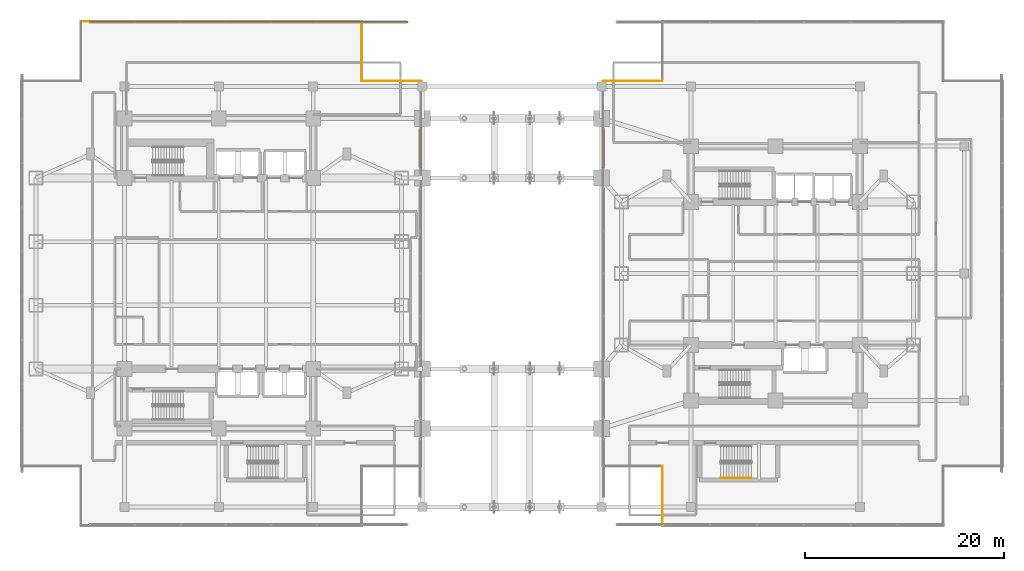
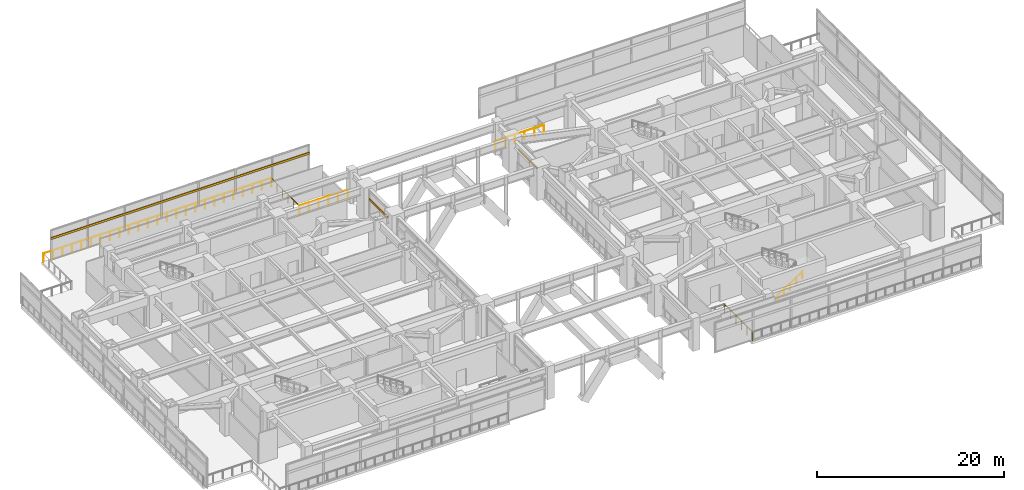
# One storey, part 25 of 30: 6 railings, 3 shading devices.
"""IFC4 building model written with IfcOpenShell, lengths in metres."""

from ifc_helpers import new_model, si_unit, direction, frame, origin, origin_2d, place, context, subcontext, project, spatial, rectangle, circle, extrude, material, material_profile, profile_set, type_object, element, save


model = new_model("IFC4")

# Units and contexts
model_context = context("Model", 3, precision=1e-05, world=origin(), true_north=direction((0.0, 1.0)))
body_context = subcontext(model_context, "Body", "Model", "MODEL_VIEW")
ifc_project = project(units=[si_unit("LENGTHUNIT", "METRE"), si_unit("AREAUNIT", "SQUARE_METRE"), si_unit("VOLUMEUNIT", "CUBIC_METRE"), si_unit("PLANEANGLEUNIT", "RADIAN"), si_unit("MASSUNIT", "GRAM", prefix="KILO")], contexts=[model_context])

# Site, building, storey
site_placement = place(None, origin())
site = spatial("IfcSite", under=ifc_project, at=site_placement, CompositionType="ELEMENT")
building_placement = place(site_placement, origin())
building = spatial("IfcBuilding", under=site, at=building_placement, Name="Mirazonda Arch Towers", CompositionType="ELEMENT")
storey_placement = place(building_placement, frame((0.0, 0.0, 9.5)))
storey = spatial("IfcBuildingStorey", under=building, at=storey_placement, Name="L02", CompositionType="ELEMENT", Elevation=9.5)

# Shading devices
ifc_material_1 = material(Name="Kiln-Fired Architectural Terracotta", Category="masonry")
ifc_material_profile = material_profile(ifc_material_1, rectangle(XDim=0.139892578125, YDim=0.280029296875, at=origin_2d()), Name="TERRA-BAG-140x280")
ifc_profile_set = profile_set([ifc_material_profile], Name="Kiln-Fired Architectural Terracotta")
shading_device_type = type_object("IfcShadingDeviceType", Name="BAGUETTE-3", PredefinedType="USERDEFINED", material=ifc_profile_set)
shading_device_placement = place(storey_placement, frame((7.5, 53.280029296875, 2.851318359375), z_axis=(1.0, 0.0, 0.0), x_axis=(0.0, 1.0, 0.0)))
element("IfcShadingDevice", 1, at=shading_device_placement, inside=storey, type_object=shading_device_type, Name="L02 Glazed Terracotta Sun-Screen Baguette CW-L02-WN", ObjectType="BAGUETTE", PredefinedType="USERDEFINED", context=body_context, shape_type="SweptSolid", body=[
    extrude(rectangle(XDim=0.139892578125, YDim=0.280029296875, at=origin_2d()), origin(), (0.0, 0.0, 1.0), 32.0),
])
for number, where, z_axis, x_axis, name in (
    (2, (40.780029296875, 42.56005859375, 2.851318359375), (0.0, -1.0, 0.0), (1.0, 0.0, 0.0), "L02 Glazed Terracotta Sun-Screen Baguette CW-L02-AW-S1"),
    (3, (59.219970703125, 38.639892578125, 2.851318359375), (0.0, 1.0, 0.0), (-1.0, 0.0, 0.0), "L02 Glazed Terracotta Sun-Screen Baguette CW-L02-AE-S4"),
):
    element("IfcShadingDevice", number, at=place(storey_placement, frame(where, z_axis=z_axis, x_axis=x_axis)), inside=storey, type_object=shading_device_type, Name=name, ObjectType="BAGUETTE", PredefinedType="USERDEFINED", context=body_context, shape_type="SweptSolid", body=[
        extrude(rectangle(XDim=0.139892578125, YDim=0.280029296875, at=origin_2d()), origin(), (0.0, 0.0, 1.0), 3.920166015625),
    ])

# Railings
ifc_material_2 = material(Name="Architectural Brushed Steel S355", Category="steel")
railing_type_1 = type_object("IfcRailingType", Name="GUARD-EXT-1150", PredefinedType="GUARDRAIL", material=ifc_material_2)
railing_1_placement = place(storey_placement, frame((40.860107421875, 47.360107421875, 0.0)))
element("IfcRailing", 4, at=railing_1_placement, inside=storey, type_object=railing_type_1, Name="L02 L02 West Podium Perimeter Guard 05", PredefinedType="GUARDRAIL", context=body_context, shape_type="SweptSolid", body=[
    extrude(circle(Radius=0.02392578125, at=origin_2d()), frame((0.0, 0.0, 1.1259765625), z_axis=(-1.0, 0.0, 0.0), x_axis=(0.0, -1.0, 0.0)), (0.0, 0.0, 1.0), 6.0),
    extrude(circle(Radius=0.02099609375, at=origin_2d()), origin(), (0.0, 0.0, 1.0), 1.101806640625),
    extrude(circle(Radius=0.02099609375, at=origin_2d()), frame((-1.199951171875, 0.0, 0.0)), (0.0, 0.0, 1.0), 1.101806640625),
    extrude(circle(Radius=0.02099609375, at=origin_2d()), frame((-2.39990234375, 0.0, 0.0)), (0.0, 0.0, 1.0), 1.101806640625),
    extrude(circle(Radius=0.02099609375, at=origin_2d()), frame((-3.60009765625, 0.0, 0.0)), (0.0, 0.0, 1.0), 1.101806640625),
    extrude(circle(Radius=0.02099609375, at=origin_2d()), frame((-4.800048828125, 0.0, 0.0)), (0.0, 0.0, 1.0), 1.101806640625),
    extrude(circle(Radius=0.02099609375, at=origin_2d()), frame((-6.0, 0.0, 0.0)), (0.0, 0.0, 1.0), 1.101806640625),
])
railing_2_placement = place(storey_placement, frame((34.860107421875, 47.360107421875, 0.0)))
element("IfcRailing", 5, at=railing_2_placement, inside=storey, type_object=railing_type_1, Name="L02 L02 West Podium Perimeter Guard 06", PredefinedType="GUARDRAIL", context=body_context, shape_type="SweptSolid", body=[
    extrude(circle(Radius=0.02392578125, at=origin_2d()), frame((0.0, 0.0, 1.1259765625), z_axis=(0.0, 1.0, 0.0), x_axis=(-1.0, 0.0, 0.0)), (0.0, 0.0, 1.0), 6.0),
    extrude(circle(Radius=0.02099609375, at=origin_2d()), origin(), (0.0, 0.0, 1.0), 1.101806640625),
    extrude(circle(Radius=0.02099609375, at=origin_2d()), frame((0.0, 1.199951171875, 0.0)), (0.0, 0.0, 1.0), 1.101806640625),
    extrude(circle(Radius=0.02099609375, at=origin_2d()), frame((0.0, 2.39990234375, 0.0)), (0.0, 0.0, 1.0), 1.101806640625),
    extrude(circle(Radius=0.02099609375, at=origin_2d()), frame((0.0, 3.60009765625, 0.0)), (0.0, 0.0, 1.0), 1.101806640625),
    extrude(circle(Radius=0.02099609375, at=origin_2d()), frame((0.0, 4.800048828125, 0.0)), (0.0, 0.0, 1.0), 1.101806640625),
    extrude(circle(Radius=0.02099609375, at=origin_2d()), frame((0.0, 6.0, 0.0)), (0.0, 0.0, 1.0), 1.101806640625),
])
railing_3_placement = place(storey_placement, frame((34.860107421875, 53.360107421875, 0.0)))
element("IfcRailing", 6, at=railing_3_placement, inside=storey, type_object=railing_type_1, Name="L02 L02 West Podium Perimeter Guard 07", PredefinedType="GUARDRAIL", context=body_context, shape_type="SweptSolid", body=[
    extrude(circle(Radius=0.02392578125, at=origin_2d()), frame((0.0, 0.0, 1.1259765625), z_axis=(-1.0, 0.0, 0.0), x_axis=(0.0, -1.0, 0.0)), (0.0, 0.0, 1.0), 28.22021484375),
    extrude(circle(Radius=0.02099609375, at=origin_2d()), origin(), (0.0, 0.0, 1.0), 1.101806640625),
    extrude(circle(Radius=0.02099609375, at=origin_2d()), frame((-1.17578125, 0.0, 0.0)), (0.0, 0.0, 1.0), 1.101806640625),
    extrude(circle(Radius=0.02099609375, at=origin_2d()), frame((-2.3515625, 0.0, 0.0)), (0.0, 0.0, 1.0), 1.101806640625),
    extrude(circle(Radius=0.02099609375, at=origin_2d()), frame((-3.527587890625, 0.0, 0.0)), (0.0, 0.0, 1.0), 1.101806640625),
    extrude(circle(Radius=0.02099609375, at=origin_2d()), frame((-4.703369140625, 0.0, 0.0)), (0.0, 0.0, 1.0), 1.101806640625),
    extrude(circle(Radius=0.02099609375, at=origin_2d()), frame((-5.879150390625, 0.0, 0.0)), (0.0, 0.0, 1.0), 1.101806640625),
    extrude(circle(Radius=0.02099609375, at=origin_2d()), frame((-7.05517578125, 0.0, 0.0)), (0.0, 0.0, 1.0), 1.101806640625),
    extrude(circle(Radius=0.02099609375, at=origin_2d()), frame((-8.23095703125, 0.0, 0.0)), (0.0, 0.0, 1.0), 1.101806640625),
    extrude(circle(Radius=0.02099609375, at=origin_2d()), frame((-9.40673828125, 0.0, 0.0)), (0.0, 0.0, 1.0), 1.101806640625),
    extrude(circle(Radius=0.02099609375, at=origin_2d()), frame((-10.58251953125, 0.0, 0.0)), (0.0, 0.0, 1.0), 1.101806640625),
    extrude(circle(Radius=0.02099609375, at=origin_2d()), frame((-11.75830078125, 0.0, 0.0)), (0.0, 0.0, 1.0), 1.101806640625),
    extrude(circle(Radius=0.02099609375, at=origin_2d()), frame((-12.934326171875, 0.0, 0.0)), (0.0, 0.0, 1.0), 1.101806640625),
    extrude(circle(Radius=0.02099609375, at=origin_2d()), frame((-14.110107421875, 0.0, 0.0)), (0.0, 0.0, 1.0), 1.101806640625),
    extrude(circle(Radius=0.02099609375, at=origin_2d()), frame((-15.285888671875, 0.0, 0.0)), (0.0, 0.0, 1.0), 1.101806640625),
    extrude(circle(Radius=0.02099609375, at=origin_2d()), frame((-16.4619140625, 0.0, 0.0)), (0.0, 0.0, 1.0), 1.101806640625),
    extrude(circle(Radius=0.02099609375, at=origin_2d()), frame((-17.6376953125, 0.0, 0.0)), (0.0, 0.0, 1.0), 1.101806640625),
    extrude(circle(Radius=0.02099609375, at=origin_2d()), frame((-18.8134765625, 0.0, 0.0)), (0.0, 0.0, 1.0), 1.101806640625),
    extrude(circle(Radius=0.02099609375, at=origin_2d()), frame((-19.9892578125, 0.0, 0.0)), (0.0, 0.0, 1.0), 1.101806640625),
    extrude(circle(Radius=0.02099609375, at=origin_2d()), frame((-21.1650390625, 0.0, 0.0)), (0.0, 0.0, 1.0), 1.101806640625),
    extrude(circle(Radius=0.02099609375, at=origin_2d()), frame((-22.341064453125, 0.0, 0.0)), (0.0, 0.0, 1.0), 1.101806640625),
    extrude(circle(Radius=0.02099609375, at=origin_2d()), frame((-23.516845703125, 0.0, 0.0)), (0.0, 0.0, 1.0), 1.101806640625),
    extrude(circle(Radius=0.02099609375, at=origin_2d()), frame((-24.692626953125, 0.0, 0.0)), (0.0, 0.0, 1.0), 1.101806640625),
    extrude(circle(Radius=0.02099609375, at=origin_2d()), frame((-25.86865234375, 0.0, 0.0)), (0.0, 0.0, 1.0), 1.101806640625),
    extrude(circle(Radius=0.02099609375, at=origin_2d()), frame((-27.04443359375, 0.0, 0.0)), (0.0, 0.0, 1.0), 1.101806640625),
    extrude(circle(Radius=0.02099609375, at=origin_2d()), frame((-28.22021484375, 0.0, 0.0)), (0.0, 0.0, 1.0), 1.101806640625),
])
railing_4_placement = place(storey_placement, frame((65.139892578125, 47.360107421875, 0.0)))
element("IfcRailing", 7, at=railing_4_placement, inside=storey, type_object=railing_type_1, Name="L02 L02 East Podium Perimeter Guard 09", PredefinedType="GUARDRAIL", context=body_context, shape_type="SweptSolid", body=[
    extrude(circle(Radius=0.02392578125, at=origin_2d()), frame((0.0, 0.0, 1.1259765625), z_axis=(-1.0, 0.0, 0.0), x_axis=(0.0, -1.0, 0.0)), (0.0, 0.0, 1.0), 6.0),
    extrude(circle(Radius=0.02099609375, at=origin_2d()), origin(), (0.0, 0.0, 1.0), 1.101806640625),
    extrude(circle(Radius=0.02099609375, at=origin_2d()), frame((-1.199951171875, 0.0, 0.0)), (0.0, 0.0, 1.0), 1.101806640625),
    extrude(circle(Radius=0.02099609375, at=origin_2d()), frame((-2.39990234375, 0.0, 0.0)), (0.0, 0.0, 1.0), 1.101806640625),
    extrude(circle(Radius=0.02099609375, at=origin_2d()), frame((-3.60009765625, 0.0, 0.0)), (0.0, 0.0, 1.0), 1.101806640625),
    extrude(circle(Radius=0.02099609375, at=origin_2d()), frame((-4.800048828125, 0.0, 0.0)), (0.0, 0.0, 1.0), 1.101806640625),
    extrude(circle(Radius=0.02099609375, at=origin_2d()), frame((-6.0, 0.0, 0.0)), (0.0, 0.0, 1.0), 1.101806640625),
])
railing_5_placement = place(storey_placement, frame((65.139892578125, 8.639892578125, 0.0)))
element("IfcRailing", 8, at=railing_5_placement, inside=storey, type_object=railing_type_1, Name="L02 L02 East Podium Perimeter Guard 12", PredefinedType="GUARDRAIL", context=body_context, shape_type="SweptSolid", body=[
    extrude(circle(Radius=0.02392578125, at=origin_2d()), frame((0.0, 0.0, 1.1259765625), z_axis=(0.0, -1.0, 0.0), x_axis=(1.0, 0.0, 0.0)), (0.0, 0.0, 1.0), 6.0),
    extrude(circle(Radius=0.02099609375, at=origin_2d()), origin(), (0.0, 0.0, 1.0), 1.101806640625),
    extrude(circle(Radius=0.02099609375, at=origin_2d()), frame((0.0, -1.199951171875, 0.0)), (0.0, 0.0, 1.0), 1.101806640625),
    extrude(circle(Radius=0.02099609375, at=origin_2d()), frame((0.0, -2.39990234375, 0.0)), (0.0, 0.0, 1.0), 1.101806640625),
    extrude(circle(Radius=0.02099609375, at=origin_2d()), frame((0.0, -3.60009765625, 0.0)), (0.0, 0.0, 1.0), 1.101806640625),
    extrude(circle(Radius=0.02099609375, at=origin_2d()), frame((0.0, -4.800048828125, 0.0)), (0.0, 0.0, 1.0), 1.101806640625),
    extrude(circle(Radius=0.02099609375, at=origin_2d()), frame((0.0, -6.0, 0.0)), (0.0, 0.0, 1.0), 1.101806640625),
])
railing_type_2 = type_object("IfcRailingType", Name="HANDRAIL-915", PredefinedType="HANDRAIL", material=ifc_material_2)
railing_6_placement = place(storey_placement, frame((71.0, 7.39990234375, 0.17919921875)))
element("IfcRailing", 9, at=railing_6_placement, inside=storey, type_object=railing_type_2, Name="L02 ST-POD2 stair handrail 1", PredefinedType="HANDRAIL", context=body_context, shape_type="SweptSolid", body=[
    extrude(circle(Radius=0.02392578125, at=origin_2d()), frame((0.0, 0.0, 0.8759765625), z_axis=(0.842339298311, 0.0, 0.538947591627), x_axis=(0.0, 1.0, 0.0)), (0.0, 0.0, 1.0), 3.656494140625),
    extrude(circle(Radius=0.02099609375, at=origin_2d()), origin(), (0.0, 0.0, 1.0), 0.851806640625),
    extrude(circle(Radius=0.02099609375, at=origin_2d()), frame((0.77001953125, 0.0, 0.49267578125)), (0.0, 0.0, 1.0), 0.851806640625),
    extrude(circle(Radius=0.02099609375, at=origin_2d()), frame((1.5400390625, 0.0, 0.9853515625)), (0.0, 0.0, 1.0), 0.851806640625),
    extrude(circle(Radius=0.02099609375, at=origin_2d()), frame((2.31005859375, 0.0, 1.47802734375)), (0.0, 0.0, 1.0), 0.851806640625),
    extrude(circle(Radius=0.02099609375, at=origin_2d()), frame((3.080078125, 0.0, 1.970703125)), (0.0, 0.0, 1.0), 0.851806640625),
])

save(model, "model.ifc")
